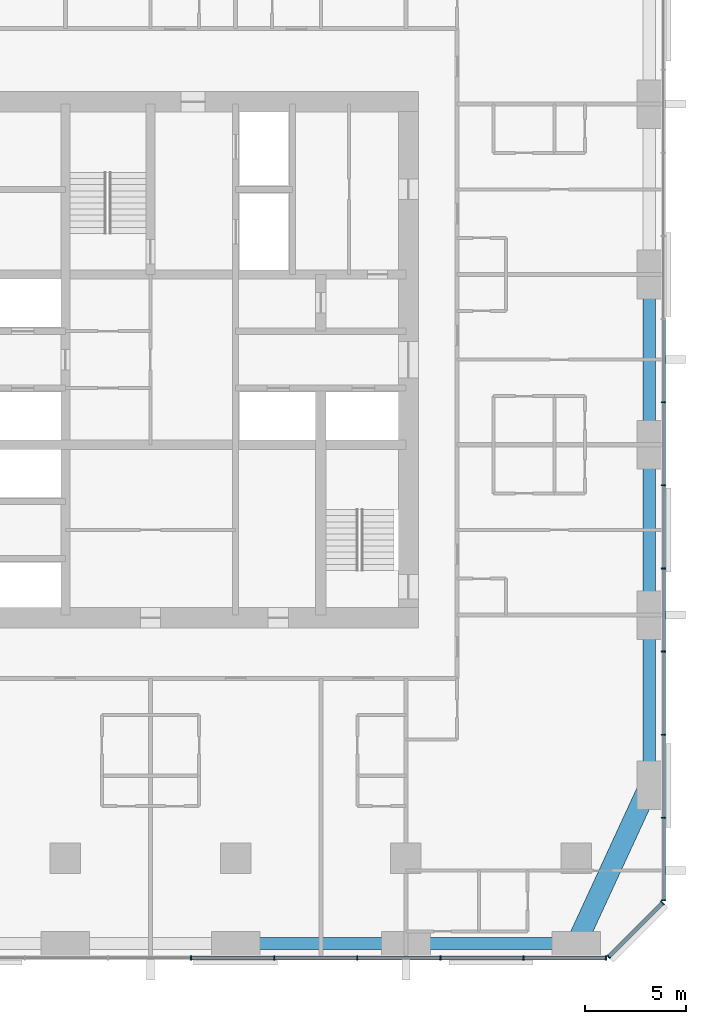
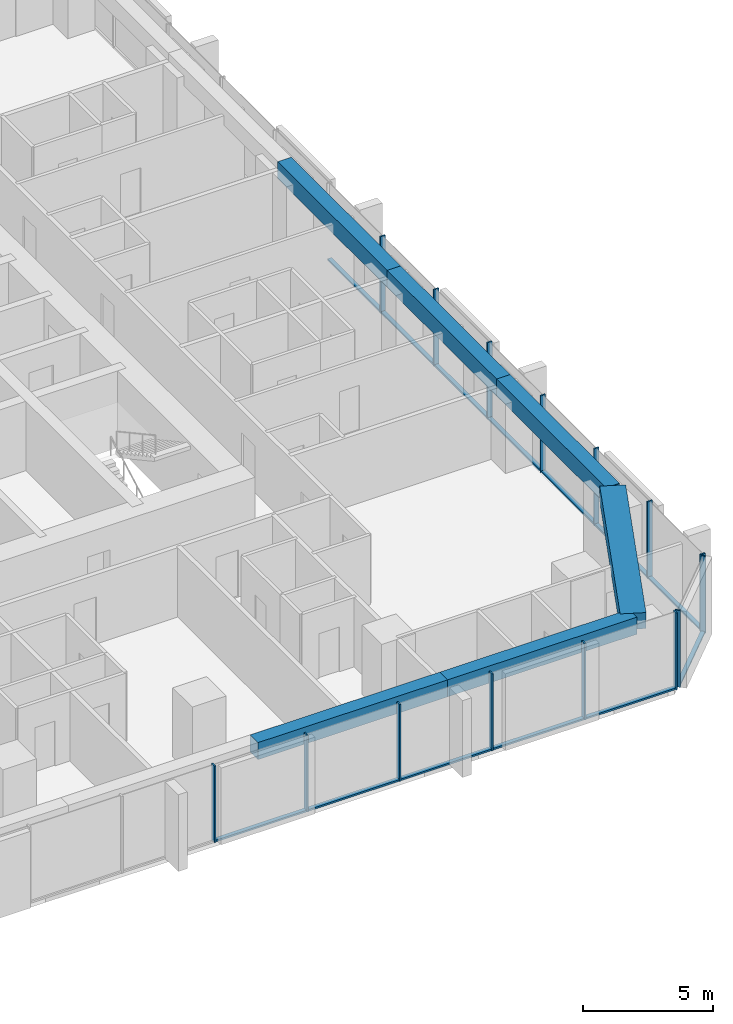
# One storey, part 4 of 14: 28 members, 6 beams, 3 elements without a shape of their own.
"""IFC4 building model written with IfcOpenShell, lengths in metres."""

import ifcopenshell
import ifcopenshell.guid

model = None  # the IFC model being written
_history = None  # IfcOwnerHistory: only IFC2X3 demands one
_inside = {}  # id of a spatial element -> (the spatial element, [elements in it])
_under = {}  # id of a project, library or spatial element -> (it, [spatial elements below it])
_declared = {}  # id of a project -> (the project, [libraries it declares])
_typed = {}  # id of a type object -> (the type object, [elements of that type])
_made_of = {}  # id of a material, layer set ... -> (it, [elements and type objects made of it])


def new_model(schema):
    """Start an empty IFC model of exactly this schema.

    Asked for "IFC4X3", IfcOpenShell would pick the latest addendum, in which some entities
    have other attributes; the version numbers below select the first issue.
    IFC2X3 requires an IfcOwnerHistory on every rooted entity: one is made here for all.
    """
    global model, _history
    if schema == "IFC4X3":
        model = ifcopenshell.file(schema_version=(4, 3, 0, 0))
    else:
        model = ifcopenshell.file(schema=schema)
    _inside.clear()
    _under.clear()
    _declared.clear()
    _typed.clear()
    _made_of.clear()
    _history = None
    if model.schema == "IFC2X3":
        org = make("IfcOrganization", Name="unknown")
        user = make(
            "IfcPersonAndOrganization",
            ThePerson=make("IfcPerson", FamilyName="unknown"),
            TheOrganization=org,
        )
        app = make(
            "IfcApplication",
            ApplicationDeveloper=org,
            Version="unknown",
            ApplicationFullName="unknown",
            ApplicationIdentifier="unknown",
        )
        _history = make(
            "IfcOwnerHistory",
            OwningUser=user,
            OwningApplication=app,
            ChangeAction="ADDED",
            CreationDate=0,
        )
    return model


def make(cls, **values):
    """One entity of the class cls with the attributes given. An attribute that is None is left unset."""
    return model.create_entity(
        cls, **{name: value for name, value in values.items() if value is not None}
    )


def rooted(cls, **values):
    """An entity with a GlobalId (a new one), such as an element, a storey or a relation."""
    return make(cls, GlobalId=ifcopenshell.guid.new(), OwnerHistory=_history, **values)


def si_unit(unit_type, name, prefix=None):
    """IfcSIUnit, for example si_unit("LENGTHUNIT", "METRE", prefix="MILLI")."""
    return make("IfcSIUnit", UnitType=unit_type, Prefix=prefix, Name=name)


def assignment(units):
    """IfcUnitAssignment: the units of a project."""
    return None if units is None else make("IfcUnitAssignment", Units=units)


def point(xyz):
    """IfcCartesianPoint."""
    return None if xyz is None else make("IfcCartesianPoint", Coordinates=xyz)


def direction(xyz):
    """IfcDirection."""
    return None if xyz is None else make("IfcDirection", DirectionRatios=xyz)


def frame(location, z_axis=None, x_axis=None):
    """IfcAxis2Placement3D, a coordinate frame: its origin and axes. An axis left out is left unset."""
    return make(
        "IfcAxis2Placement3D",
        Location=point(location),
        Axis=direction(z_axis),
        RefDirection=direction(x_axis),
    )


def frame_2d(location, x_axis=None):
    """IfcAxis2Placement2D, a coordinate frame in the plane: its origin and x axis."""
    return make(
        "IfcAxis2Placement2D", Location=point(location), RefDirection=direction(x_axis)
    )


def origin():
    """The frame at (0, 0, 0) with its axes left unset."""
    return frame((0.0, 0.0, 0.0))


def origin_2d():
    """The frame at (0, 0) in the plane with its x axis left unset."""
    return frame_2d((0.0, 0.0))


def place(relative_to, where):
    """IfcLocalPlacement: puts the frame where relative to a parent placement (None: the world)."""
    return make(
        "IfcLocalPlacement", PlacementRelTo=relative_to, RelativePlacement=where
    )


def context(
    kind, dimensions, precision=None, world=None, true_north=None, identifier=None
):
    """IfcGeometricRepresentationContext, for example the 3D "Model" context."""
    return make(
        "IfcGeometricRepresentationContext",
        ContextIdentifier=identifier,
        ContextType=kind,
        CoordinateSpaceDimension=dimensions,
        Precision=precision,
        WorldCoordinateSystem=world,
        TrueNorth=true_north,
    )


def subcontext(parent, identifier, kind, view, scale=None):
    """IfcGeometricRepresentationSubContext, for example "Body" below "Model"."""
    return make(
        "IfcGeometricRepresentationSubContext",
        ContextIdentifier=identifier,
        ContextType=kind,
        ParentContext=parent,
        TargetScale=scale,
        TargetView=view,
    )


def project(units=None, contexts=None):
    """IfcProject with its units and contexts."""
    return rooted(
        "IfcProject",
        Name="project",
        RepresentationContexts=contexts,
        UnitsInContext=assignment(units),
    )


def spatial(cls, under=None, at=None, **own):
    """A site, building, storey or space (cls), placed at a placement, below another one or the project."""
    s = rooted(cls, ObjectPlacement=at, **own)
    if under is not None:
        _under.setdefault(under.id(), (under, []))[1].append(s)
    return s


def profile(cls, at=None, kind="AREA", **sizes):
    """A parametric profile (cls). Its sizes go by their IFC names, for example OverallWidth=200.0."""
    return make(cls, ProfileType=kind, Position=at, **sizes)


def rectangle(**sizes):
    """IfcRectangleProfileDef."""
    return profile("IfcRectangleProfileDef", **sizes)


def extrude(swept, where, along, depth):
    """IfcExtrudedAreaSolid: the profile swept, set in the frame where, extruded along a direction by depth."""
    return make(
        "IfcExtrudedAreaSolid",
        SweptArea=swept,
        Position=where,
        ExtrudedDirection=direction(along),
        Depth=depth,
    )


def shape(context_of_items, identifier, shape_type, items):
    """IfcShapeRepresentation: the items that make up one representation, for example the "Body"."""
    return make(
        "IfcShapeRepresentation",
        ContextOfItems=context_of_items,
        RepresentationIdentifier=identifier,
        RepresentationType=shape_type,
        Items=items,
    )


def material(Name=None, Category=None):
    """IfcMaterial."""
    return make("IfcMaterial", Name=Name, Category=Category)


def material_profile(
    of_material, cross_section, Name=None, Category=None, Priority=None
):
    """IfcMaterialProfile: a cross section and its material."""
    return make(
        "IfcMaterialProfile",
        Name=Name,
        Material=of_material,
        Profile=cross_section,
        Priority=Priority,
        Category=Category,
    )


def profile_set(profiles, Name=None, composite=None):
    """IfcMaterialProfileSet."""
    return make(
        "IfcMaterialProfileSet",
        Name=Name,
        MaterialProfiles=profiles,
        CompositeProfile=composite,
    )


def made_of(thing, what):
    """Note that an element or type object is made of a material, layer set ...; save() writes the relation."""
    if what is not None:
        _made_of.setdefault(what.id(), (what, []))[1].append(thing)
    return thing


def type_object(cls, material=None, **own):
    """A type object (cls), such as IfcWallType, which elements share."""
    return made_of(rooted(cls, **own), material)


def element(
    cls,
    number,
    at=None,
    inside=None,
    cuts=None,
    type_object=None,
    material=None,
    context=None,
    identifier="Body",
    shape_type=None,
    held_by="IfcProductDefinitionShape",
    body=None,
    shapes=None,
    **own,
):
    """One element of the class cls, such as IfcWall. Its Tag is "e" and its number.

    at: its placement. inside: the storey or other place that contains it. cuts: it is an
    opening in that element (IfcRelVoidsElement). A single representation is given by context,
    identifier, shape_type and body (its items); several are given by shapes. held_by: the class
    of the entity that holds the representations. save() writes the other relations.
    """
    e = rooted(cls, Tag="e%d" % number, ObjectPlacement=at, **own)
    if body is not None:
        shapes = [shape(context, identifier, shape_type, body)]
    if shapes is not None:
        e.Representation = make(held_by, Representations=shapes)
    if inside is not None:
        _inside.setdefault(inside.id(), (inside, []))[1].append(e)
    if cuts is not None:
        rooted(
            "IfcRelVoidsElement", RelatingBuildingElement=cuts, RelatedOpeningElement=e
        )
    if type_object is not None:
        _typed.setdefault(type_object.id(), (type_object, []))[1].append(e)
    return made_of(e, material)


def aggregate(whole, parts):
    """IfcRelAggregates: a whole, such as a stair, and the parts it consists of."""
    return rooted("IfcRelAggregates", RelatingObject=whole, RelatedObjects=parts)


def save(model, path):
    """Write the relations noted so far, then the file.

    IfcRelAggregates (storeys below a building ...), IfcRelContainedInSpatialStructure (elements
    in a storey), IfcRelDefinesByType, IfcRelAssociatesMaterial and IfcRelDeclares: one each for
    every whole, place, type object, material and project.
    """
    for whole, parts in _under.values():
        aggregate(whole, parts)
    for where, things in _inside.values():
        rooted(
            "IfcRelContainedInSpatialStructure",
            RelatedElements=things,
            RelatingStructure=where,
        )
    for kind, things in _typed.values():
        rooted("IfcRelDefinesByType", RelatedObjects=things, RelatingType=kind)
    for what, things in _made_of.values():
        rooted("IfcRelAssociatesMaterial", RelatedObjects=things, RelatingMaterial=what)
    for by, libraries in _declared.values():
        rooted("IfcRelDeclares", RelatingContext=by, RelatedDefinitions=libraries)
    model.write(path)


model = new_model("IFC4")

# Units and contexts
model_context = context("Model", 3, precision=1e-05, world=origin(), true_north=direction((0.0, 1.0)))
body_context = subcontext(model_context, "Body", "Model", "MODEL_VIEW")
ifc_project = project(units=[si_unit("LENGTHUNIT", "METRE"), si_unit("AREAUNIT", "SQUARE_METRE"), si_unit("VOLUMEUNIT", "CUBIC_METRE"), si_unit("PLANEANGLEUNIT", "RADIAN"), si_unit("MASSUNIT", "GRAM", prefix="KILO")], contexts=[model_context])

# Site, building, storey
site_placement = place(None, origin())
site = spatial("IfcSite", under=ifc_project, at=site_placement, CompositionType="ELEMENT")
building_placement = place(site_placement, origin())
building = spatial("IfcBuilding", under=site, at=building_placement, Name="Dunama Terrace Hotel", CompositionType="ELEMENT")
storey_placement = place(building_placement, frame((0.0, 0.0, 126.0)))
storey = spatial("IfcBuildingStorey", under=building, at=storey_placement, Name="L32", CompositionType="ELEMENT", Elevation=126.0)

# Curtain wall, members
ifc_material_1 = material(Name="Aluminium curtain wall system", Category="aluminium")
curtain_wall_type = type_object("IfcCurtainWallType", Name="Unitised fritted glass wall CW-B", PredefinedType="NOTDEFINED", material=ifc_material_1)
curtain_wall_1_placement = place(storey_placement, origin())
curtain_wall_1 = element("IfcCurtainWall", 1, at=curtain_wall_1_placement, inside=storey, type_object=curtain_wall_type, Name="Unitised fritted glass wall CW-B L32", PredefinedType="NOTDEFINED")
ifc_material_2 = material(Name="Aluminium mullion", Category="aluminium")
ifc_material_profile_1 = material_profile(ifc_material_2, rectangle(XDim=0.06494140625, YDim=0.219970703125, at=origin_2d()), Name="CWB MULLION 65X220")
ifc_profile_set_1 = profile_set([ifc_material_profile_1], Name="Aluminium mullion")
member_type_1 = type_object("IfcMemberType", Name="CWB mullion 65x220", PredefinedType="MULLION", material=ifc_profile_set_1)
member_1_placement = place(storey_placement, frame((31.39990234375, -0.110107421875, 0.0), z_axis=(0.0, 0.0, 1.0), x_axis=(1.0, 0.0, 0.0)))
member_1 = element("IfcMember", 2, at=member_1_placement, type_object=member_type_1, Name="CWB mullion", PredefinedType="MULLION", context=body_context, shape_type="SweptSolid", body=[
    extrude(rectangle(XDim=0.06494140625, YDim=0.219970703125, at=origin_2d()), origin(), (0.0, 0.0, 1.0), 3.60009765625),
])
member_2_placement = place(storey_placement, frame((35.5, -0.110107421875, 0.0), z_axis=(0.0, 0.0, 1.0), x_axis=(1.0, 0.0, 0.0)))
member_2 = element("IfcMember", 3, at=member_2_placement, type_object=member_type_1, Name="CWB mullion", PredefinedType="MULLION", context=body_context, shape_type="SweptSolid", body=[
    extrude(rectangle(XDim=0.06494140625, YDim=0.219970703125, at=origin_2d()), origin(), (0.0, 0.0, 1.0), 3.60009765625),
])
member_3_placement = place(storey_placement, frame((39.60009765625, -0.110107421875, 0.0), z_axis=(0.0, 0.0, 1.0), x_axis=(1.0, 0.0, 0.0)))
member_3 = element("IfcMember", 4, at=member_3_placement, type_object=member_type_1, Name="CWB mullion", PredefinedType="MULLION", context=body_context, shape_type="SweptSolid", body=[
    extrude(rectangle(XDim=0.06494140625, YDim=0.219970703125, at=origin_2d()), origin(), (0.0, 0.0, 1.0), 3.60009765625),
])
member_4_placement = place(storey_placement, frame((43.699951171875, -0.110107421875, 0.0), z_axis=(0.0, 0.0, 1.0), x_axis=(1.0, 0.0, 0.0)))
member_4 = element("IfcMember", 5, at=member_4_placement, type_object=member_type_1, Name="CWB mullion", PredefinedType="MULLION", context=body_context, shape_type="SweptSolid", body=[
    extrude(rectangle(XDim=0.06494140625, YDim=0.219970703125, at=origin_2d()), origin(), (0.0, 0.0, 1.0), 3.60009765625),
])
member_5_placement = place(storey_placement, frame((47.800048828125, -0.110107421875, 0.0), z_axis=(0.0, 0.0, 1.0), x_axis=(1.0, 0.0, 0.0)))
member_5 = element("IfcMember", 6, at=member_5_placement, type_object=member_type_1, Name="CWB mullion", PredefinedType="MULLION", context=body_context, shape_type="SweptSolid", body=[
    extrude(rectangle(XDim=0.06494140625, YDim=0.219970703125, at=origin_2d()), origin(), (0.0, 0.0, 1.0), 3.60009765625),
])
member_6_placement = place(storey_placement, frame((51.866943359375, -0.110107421875, 0.0), z_axis=(0.0, 0.0, 1.0), x_axis=(1.0, 0.0, 0.0)))
member_6 = element("IfcMember", 7, at=member_6_placement, type_object=member_type_1, Name="CWB mullion", PredefinedType="MULLION", context=body_context, shape_type="SweptSolid", body=[
    extrude(rectangle(XDim=0.06494140625, YDim=0.219970703125, at=origin_2d()), origin(), (0.0, 0.0, 1.0), 3.60009765625),
])

curtain_wall_2_placement = place(storey_placement, origin())
curtain_wall_2 = element("IfcCurtainWall", 8, at=curtain_wall_2_placement, inside=storey, type_object=curtain_wall_type, Name="Unitised fritted glass wall CW-B L32", PredefinedType="NOTDEFINED")
member_7_placement = place(storey_placement, frame((52.0009765625, -0.054931640625, 0.0), z_axis=(0.0, 0.0, 1.0), x_axis=(0.707106781187, 0.707106781187, 0.0)))
member_7 = element("IfcMember", 9, at=member_7_placement, type_object=member_type_1, Name="CWB mullion", PredefinedType="MULLION", context=body_context, shape_type="SweptSolid", body=[
    extrude(rectangle(XDim=0.06494140625, YDim=0.219970703125, at=origin_2d()), origin(), (0.0, 0.0, 1.0), 3.60009765625),
])
member_8_placement = place(storey_placement, frame((54.655029296875, 2.59912109375, 0.0), z_axis=(0.0, 0.0, 1.0), x_axis=(0.707106781187, 0.707106781187, 0.0)))
member_8 = element("IfcMember", 10, at=member_8_placement, type_object=member_type_1, Name="CWB mullion", PredefinedType="MULLION", context=body_context, shape_type="SweptSolid", body=[
    extrude(rectangle(XDim=0.06494140625, YDim=0.219970703125, at=origin_2d()), origin(), (0.0, 0.0, 1.0), 3.60009765625),
])

curtain_wall_3_placement = place(storey_placement, origin())
curtain_wall_3 = element("IfcCurtainWall", 11, at=curtain_wall_3_placement, inside=storey, type_object=curtain_wall_type, Name="Unitised fritted glass wall CW-B L32", PredefinedType="NOTDEFINED")
member_9_placement = place(storey_placement, frame((54.7099609375, 2.73291015625, 0.0), z_axis=(0.0, 0.0, 1.0), x_axis=(0.0, 1.0, 0.0)))
member_9 = element("IfcMember", 12, at=member_9_placement, type_object=member_type_1, Name="CWB mullion", PredefinedType="MULLION", context=body_context, shape_type="SweptSolid", body=[
    extrude(rectangle(XDim=0.06494140625, YDim=0.219970703125, at=origin_2d()), origin(), (0.0, 0.0, 1.0), 3.60009765625),
])
member_10_placement = place(storey_placement, frame((54.7099609375, 6.800048828125, 0.0), z_axis=(0.0, 0.0, 1.0), x_axis=(0.0, 1.0, 0.0)))
member_10 = element("IfcMember", 13, at=member_10_placement, type_object=member_type_1, Name="CWB mullion", PredefinedType="MULLION", context=body_context, shape_type="SweptSolid", body=[
    extrude(rectangle(XDim=0.06494140625, YDim=0.219970703125, at=origin_2d()), origin(), (0.0, 0.0, 1.0), 3.60009765625),
])
member_11_placement = place(storey_placement, frame((54.7099609375, 10.89990234375, 0.0), z_axis=(0.0, 0.0, 1.0), x_axis=(0.0, 1.0, 0.0)))
member_11 = element("IfcMember", 14, at=member_11_placement, type_object=member_type_1, Name="CWB mullion", PredefinedType="MULLION", context=body_context, shape_type="SweptSolid", body=[
    extrude(rectangle(XDim=0.06494140625, YDim=0.219970703125, at=origin_2d()), origin(), (0.0, 0.0, 1.0), 3.60009765625),
])
member_12_placement = place(storey_placement, frame((54.7099609375, 15.0, 0.0), z_axis=(0.0, 0.0, 1.0), x_axis=(0.0, 1.0, 0.0)))
member_12 = element("IfcMember", 15, at=member_12_placement, type_object=member_type_1, Name="CWB mullion", PredefinedType="MULLION", context=body_context, shape_type="SweptSolid", body=[
    extrude(rectangle(XDim=0.06494140625, YDim=0.219970703125, at=origin_2d()), origin(), (0.0, 0.0, 1.0), 3.60009765625),
])
member_13_placement = place(storey_placement, frame((54.7099609375, 19.10009765625, 0.0), z_axis=(0.0, 0.0, 1.0), x_axis=(0.0, 1.0, 0.0)))
member_13 = element("IfcMember", 16, at=member_13_placement, type_object=member_type_1, Name="CWB mullion", PredefinedType="MULLION", context=body_context, shape_type="SweptSolid", body=[
    extrude(rectangle(XDim=0.06494140625, YDim=0.219970703125, at=origin_2d()), origin(), (0.0, 0.0, 1.0), 3.60009765625),
])
member_14_placement = place(storey_placement, frame((54.7099609375, 23.199951171875, 0.0), z_axis=(0.0, 0.0, 1.0), x_axis=(0.0, 1.0, 0.0)))
member_14 = element("IfcMember", 17, at=member_14_placement, type_object=member_type_1, Name="CWB mullion", PredefinedType="MULLION", context=body_context, shape_type="SweptSolid", body=[
    extrude(rectangle(XDim=0.06494140625, YDim=0.219970703125, at=origin_2d()), origin(), (0.0, 0.0, 1.0), 3.60009765625),
])
member_15_placement = place(storey_placement, frame((54.7099609375, 27.300048828125, 0.0), z_axis=(0.0, 0.0, 1.0), x_axis=(0.0, 1.0, 0.0)))
member_15 = element("IfcMember", 18, at=member_15_placement, type_object=member_type_1, Name="CWB mullion", PredefinedType="MULLION", context=body_context, shape_type="SweptSolid", body=[
    extrude(rectangle(XDim=0.06494140625, YDim=0.219970703125, at=origin_2d()), origin(), (0.0, 0.0, 1.0), 3.60009765625),
])

# Member
ifc_material_3 = material(Name="Aluminium transom", Category="aluminium")
ifc_material_profile_2 = material_profile(ifc_material_3, rectangle(XDim=0.179931640625, YDim=0.080078125, at=origin_2d()), Name="CWB TRANSOM 180X80")
ifc_profile_set_2 = profile_set([ifc_material_profile_2], Name="Aluminium transom")
member_type_2 = type_object("IfcMemberType", Name="CWB transom 180x80", PredefinedType="USERDEFINED", material=ifc_profile_set_2)
member_16_placement = place(storey_placement, frame((31.431884765625, -0.110107421875, 0.0400390625), z_axis=(1.0, 0.0, 0.0), x_axis=(0.0, 1.0, 0.0)))
member_16 = element("IfcMember", 19, at=member_16_placement, type_object=member_type_2, Name="CWB transom", ObjectType="TRANSOM", PredefinedType="USERDEFINED", context=body_context, shape_type="SweptSolid", body=[
    extrude(rectangle(XDim=0.179931640625, YDim=0.080078125, at=origin_2d()), origin(), (0.0, 0.0, 1.0), 4.0361328125),
])

member_17_placement = place(storey_placement, frame((35.531982421875, -0.110107421875, 0.0400390625), z_axis=(1.0, 0.0, 0.0), x_axis=(0.0, 1.0, 0.0)))
member_17 = element("IfcMember", 20, at=member_17_placement, type_object=member_type_2, Name="CWB transom", ObjectType="TRANSOM", PredefinedType="USERDEFINED", context=body_context, shape_type="SweptSolid", body=[
    extrude(rectangle(XDim=0.179931640625, YDim=0.080078125, at=origin_2d()), origin(), (0.0, 0.0, 1.0), 4.0361328125),
])

member_18_placement = place(storey_placement, frame((39.633056640625, -0.110107421875, 0.0400390625), z_axis=(1.0, 0.0, 0.0), x_axis=(0.0, 1.0, 0.0)))
member_18 = element("IfcMember", 21, at=member_18_placement, type_object=member_type_2, Name="CWB transom", ObjectType="TRANSOM", PredefinedType="USERDEFINED", context=body_context, shape_type="SweptSolid", body=[
    extrude(rectangle(XDim=0.179931640625, YDim=0.080078125, at=origin_2d()), origin(), (0.0, 0.0, 1.0), 4.034912109375),
])

member_19_placement = place(storey_placement, frame((43.73291015625, -0.110107421875, 0.0400390625), z_axis=(1.0, 0.0, 0.0), x_axis=(0.0, 1.0, 0.0)))
member_19 = element("IfcMember", 22, at=member_19_placement, type_object=member_type_2, Name="CWB transom", ObjectType="TRANSOM", PredefinedType="USERDEFINED", context=body_context, shape_type="SweptSolid", body=[
    extrude(rectangle(XDim=0.179931640625, YDim=0.080078125, at=origin_2d()), origin(), (0.0, 0.0, 1.0), 4.0341796875),
])

member_20_placement = place(storey_placement, frame((47.83203125, -0.110107421875, 0.0400390625), z_axis=(1.0, 0.0, 0.0), x_axis=(0.0, 1.0, 0.0)))
member_20 = element("IfcMember", 23, at=member_20_placement, type_object=member_type_2, Name="CWB transom", ObjectType="TRANSOM", PredefinedType="USERDEFINED", context=body_context, shape_type="SweptSolid", body=[
    extrude(rectangle(XDim=0.179931640625, YDim=0.080078125, at=origin_2d()), origin(), (0.0, 0.0, 1.0), 4.0029296875),
])

aggregate(curtain_wall_1, [member_1, member_2, member_3, member_4, member_5, member_6, member_16, member_17, member_18, member_19, member_20])

member_21_placement = place(storey_placement, frame((52.02392578125, -0.031982421875, 0.0400390625), z_axis=(0.707139876915, 0.707073683909, 0.0), x_axis=(-0.707073683909, 0.707139876915, 0.0)))
member_21 = element("IfcMember", 24, at=member_21_placement, type_object=member_type_2, Name="CWB transom", ObjectType="TRANSOM", PredefinedType="USERDEFINED", context=body_context, shape_type="SweptSolid", body=[
    extrude(rectangle(XDim=0.179931640625, YDim=0.080078125, at=origin_2d()), origin(), (0.0, 0.0, 1.0), 3.688232421875),
])

aggregate(curtain_wall_2, [member_7, member_8, member_21])

member_22_placement = place(storey_placement, frame((54.7099609375, 2.764892578125, 0.0400390625), z_axis=(0.0, 1.0, 0.0), x_axis=(-1.0, 0.0, 0.0)))
member_22 = element("IfcMember", 25, at=member_22_placement, type_object=member_type_2, Name="CWB transom", ObjectType="TRANSOM", PredefinedType="USERDEFINED", context=body_context, shape_type="SweptSolid", body=[
    extrude(rectangle(XDim=0.179931640625, YDim=0.080078125, at=origin_2d()), origin(), (0.0, 0.0, 1.0), 4.003173828125),
])

member_23_placement = place(storey_placement, frame((54.7099609375, 6.83203125, 0.0400390625), z_axis=(0.0, 1.0, 0.0), x_axis=(-1.0, 0.0, 0.0)))
member_23 = element("IfcMember", 26, at=member_23_placement, type_object=member_type_2, Name="CWB transom", ObjectType="TRANSOM", PredefinedType="USERDEFINED", context=body_context, shape_type="SweptSolid", body=[
    extrude(rectangle(XDim=0.179931640625, YDim=0.080078125, at=origin_2d()), origin(), (0.0, 0.0, 1.0), 4.034912109375),
])

member_24_placement = place(storey_placement, frame((54.7099609375, 10.93310546875, 0.0400390625), z_axis=(0.0, 1.0, 0.0), x_axis=(-1.0, 0.0, 0.0)))
member_24 = element("IfcMember", 27, at=member_24_placement, type_object=member_type_2, Name="CWB transom", ObjectType="TRANSOM", PredefinedType="USERDEFINED", context=body_context, shape_type="SweptSolid", body=[
    extrude(rectangle(XDim=0.179931640625, YDim=0.080078125, at=origin_2d()), origin(), (0.0, 0.0, 1.0), 4.033935546875),
])

member_25_placement = place(storey_placement, frame((54.7099609375, 15.031982421875, 0.0400390625), z_axis=(0.0, 1.0, 0.0), x_axis=(-1.0, 0.0, 0.0)))
member_25 = element("IfcMember", 28, at=member_25_placement, type_object=member_type_2, Name="CWB transom", ObjectType="TRANSOM", PredefinedType="USERDEFINED", context=body_context, shape_type="SweptSolid", body=[
    extrude(rectangle(XDim=0.179931640625, YDim=0.080078125, at=origin_2d()), origin(), (0.0, 0.0, 1.0), 4.034912109375),
])

member_26_placement = place(storey_placement, frame((54.7099609375, 19.132080078125, 0.0400390625), z_axis=(0.0, 1.0, 0.0), x_axis=(-1.0, 0.0, 0.0)))
member_26 = element("IfcMember", 29, at=member_26_placement, type_object=member_type_2, Name="CWB transom", ObjectType="TRANSOM", PredefinedType="USERDEFINED", context=body_context, shape_type="SweptSolid", body=[
    extrude(rectangle(XDim=0.179931640625, YDim=0.080078125, at=origin_2d()), origin(), (0.0, 0.0, 1.0), 4.035888671875),
])

member_27_placement = place(storey_placement, frame((54.7099609375, 23.23193359375, 0.0400390625), z_axis=(0.0, 1.0, 0.0), x_axis=(-1.0, 0.0, 0.0)))
member_27 = element("IfcMember", 30, at=member_27_placement, type_object=member_type_2, Name="CWB transom", ObjectType="TRANSOM", PredefinedType="USERDEFINED", context=body_context, shape_type="SweptSolid", body=[
    extrude(rectangle(XDim=0.179931640625, YDim=0.080078125, at=origin_2d()), origin(), (0.0, 0.0, 1.0), 4.03515625),
])

member_28_placement = place(storey_placement, frame((54.7099609375, 27.33203125, 0.0400390625), z_axis=(0.0, 1.0, 0.0), x_axis=(-1.0, 0.0, 0.0)))
member_28 = element("IfcMember", 31, at=member_28_placement, type_object=member_type_2, Name="CWB transom", ObjectType="TRANSOM", PredefinedType="USERDEFINED", context=body_context, shape_type="SweptSolid", body=[
    extrude(rectangle(XDim=0.179931640625, YDim=0.080078125, at=origin_2d()), origin(), (0.0, 0.0, 1.0), 4.034912109375),
])

aggregate(curtain_wall_3, [member_9, member_10, member_11, member_12, member_13, member_14, member_15, member_22, member_23, member_24, member_25, member_26, member_27, member_28])

# Beams
ifc_material_4 = material(Name="Concrete C50/60", Category="concrete")
ifc_material_profile_3 = material_profile(ifc_material_4, rectangle(XDim=1.0, YDim=0.75, at=origin_2d()), Name="RC 1000x750")
ifc_profile_set_3 = profile_set([ifc_material_profile_3], Name="Concrete C50/60")
beam_type_1 = type_object("IfcBeamType", Name="Edge beam RC 1000x750", PredefinedType="SPANDREL", material=ifc_profile_set_3)
beam_1_placement = place(storey_placement, frame((50.39990234375, 0.60009765625, 3.22509765625), z_axis=(0.419076199598, 0.907951066374, 0.0), x_axis=(-0.907951066374, 0.419076199598, 0.0)))
element("IfcBeam", 32, at=beam_1_placement, inside=storey, type_object=beam_type_1, Name="Corner edge beam under L33", PredefinedType="SPANDREL", context=body_context, shape_type="SweptSolid", body=[
    extrude(rectangle(XDim=1.0, YDim=0.75, at=origin_2d()), origin(), (0.0, 0.0, 1.0), 8.590576171875),
])
ifc_material_5 = material(Name="Concrete C40/50", Category="concrete")
ifc_material_profile_4 = material_profile(ifc_material_5, rectangle(XDim=0.60009765625, YDim=0.800048828125, at=origin_2d()), Name="RC 600x800")
ifc_profile_set_4 = profile_set([ifc_material_profile_4], Name="Concrete C40/50")
beam_type_2 = type_object("IfcBeamType", Name="Edge beam RC 600x800", PredefinedType="SPANDREL", material=ifc_profile_set_4)
beam_2_placement = place(storey_placement, frame((54.0, 8.39990234375, 3.199951171875), z_axis=(0.0, 1.0, 0.0), x_axis=(-1.0, 0.0, 0.0)))
element("IfcBeam", 33, at=beam_2_placement, inside=storey, type_object=beam_type_2, Name="Edge beam under L33", PredefinedType="SPANDREL", context=body_context, shape_type="SweptSolid", body=[
    extrude(rectangle(XDim=0.60009765625, YDim=0.800048828125, at=origin_2d()), origin(), (0.0, 0.0, 1.0), 8.400146484375),
])
beam_3_placement = place(storey_placement, frame((54.0, 16.800048828125, 3.199951171875), z_axis=(0.0, 1.0, 0.0), x_axis=(-1.0, 0.0, 0.0)))
element("IfcBeam", 34, at=beam_3_placement, inside=storey, type_object=beam_type_2, Name="Edge beam under L33", PredefinedType="SPANDREL", context=body_context, shape_type="SweptSolid", body=[
    extrude(rectangle(XDim=0.60009765625, YDim=0.800048828125, at=origin_2d()), origin(), (0.0, 0.0, 1.0), 8.39990234375),
])
beam_4_placement = place(storey_placement, frame((54.0, 25.199951171875, 3.199951171875), z_axis=(0.0, 1.0, 0.0), x_axis=(-1.0, 0.0, 0.0)))
element("IfcBeam", 35, at=beam_4_placement, inside=storey, type_object=beam_type_2, Name="Edge beam under L33", PredefinedType="SPANDREL", context=body_context, shape_type="SweptSolid", body=[
    extrude(rectangle(XDim=0.60009765625, YDim=0.800048828125, at=origin_2d()), origin(), (0.0, 0.0, 1.0), 8.400146484375),
])
for number, where, z_axis, x_axis, name in (
    (36, (33.60009765625, 0.60009765625, 3.199951171875), (1.0, 0.0, 0.0), (0.0, 1.0, 0.0), "Edge beam under L33"),
    (37, (42.0, 0.60009765625, 3.199951171875), (1.0, 0.0, 0.0), (0.0, 1.0, 0.0), "Edge beam under L33"),
):
    element("IfcBeam", number, at=place(storey_placement, frame(where, z_axis=z_axis, x_axis=x_axis)), inside=storey, type_object=beam_type_2, Name=name, PredefinedType="SPANDREL", context=body_context, shape_type="SweptSolid", body=[
        extrude(rectangle(XDim=0.60009765625, YDim=0.800048828125, at=origin_2d()), origin(), (0.0, 0.0, 1.0), 8.39990234375),
    ])

save(model, "model.ifc")
